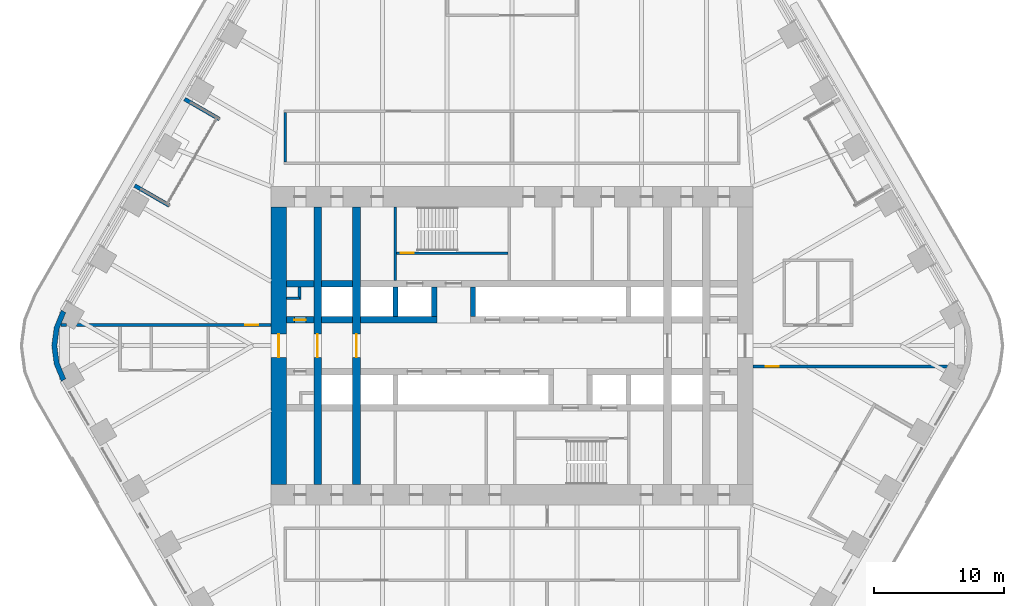
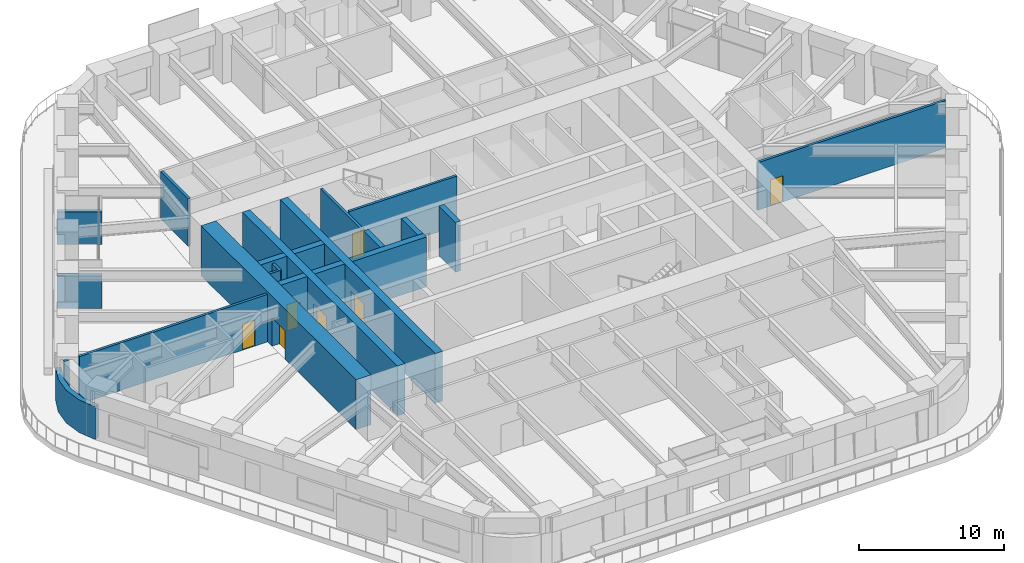
# One storey, part 19 of 24: 22 walls, 7 doors, 7 openings.
"""IFC4 building model written with IfcOpenShell, lengths in metres."""

from ifc_helpers import new_model, si_unit, direction, frame, frame_2d, origin, place, context, subcontext, project, spatial, polyline, rectangle, outline, extrude, material, layer, layer_set, type_object, element, fill, save


model = new_model("IFC4")

# Units and contexts
model_context = context("Model", 3, precision=1e-05, world=origin(), true_north=direction((0.0, 1.0)))
body_context = subcontext(model_context, "Body", "Model", "MODEL_VIEW")
ifc_project = project(units=[si_unit("LENGTHUNIT", "METRE"), si_unit("AREAUNIT", "SQUARE_METRE"), si_unit("VOLUMEUNIT", "CUBIC_METRE"), si_unit("PLANEANGLEUNIT", "RADIAN"), si_unit("MASSUNIT", "GRAM", prefix="KILO")], contexts=[model_context])

# Site, building, storey
site_placement = place(None, origin())
site = spatial("IfcSite", under=ifc_project, at=site_placement, CompositionType="ELEMENT")
building_placement = place(site_placement, origin())
building = spatial("IfcBuilding", under=site, at=building_placement, Name="Tarfa Lantern Tower", CompositionType="ELEMENT")
storey_placement = place(building_placement, frame((0.0, 0.0, 157.300048828125)))
storey = spatial("IfcBuildingStorey", under=building, at=storey_placement, Name="L35", CompositionType="ELEMENT", Elevation=157.300048828125)

# Walls
ifc_material_1 = material(Name="Limestone cladding on blockwork", Category="masonry")
ifc_layer_1 = layer(ifc_material_1, 0.300048828125)
ifc_layer_set_1 = layer_set([ifc_layer_1], Name="EW1 STONE-CLAD WALL 300")
wall_type_1 = type_object("IfcWallType", Name="EW1 STONE-CLAD WALL 300", PredefinedType="SOLIDWALL", material=ifc_layer_set_1)
wall_1_placement = place(storey_placement, frame((-25.266357421875, 19.037353515625, 0.0), z_axis=(0.0, 0.0, 1.0), x_axis=(0.86600983753, -0.500026960575, 0.0)))
element("IfcWall", 1, at=wall_1_placement, inside=storey, type_object=wall_type_1, Name="Loggia return NW 1", PredefinedType="SOLIDWALL", context=body_context, shape_type="SweptSolid", body=[
    extrude(rectangle(XDim=3.099853515625, YDim=0.300048828125, at=frame_2d((1.5498046875, 0.0))), origin(), (0.0, 0.0, 1.0), 2.75),
])
wall_2_placement = place(storey_placement, frame((-29.1201171875, 12.362548828125, 0.0), z_axis=(0.0, 0.0, 1.0), x_axis=(0.86602952684, -0.49999285859, 0.0)))
element("IfcWall", 2, at=wall_2_placement, inside=storey, type_object=wall_type_1, Name="Loggia return NW 2", PredefinedType="SOLIDWALL", context=body_context, shape_type="SweptSolid", body=[
    extrude(rectangle(XDim=3.10009765625, YDim=0.300048828125, at=frame_2d((1.550048828125, 0.0))), origin(), (0.0, 0.0, 1.0), 2.75),
])
ifc_layer_2 = layer(ifc_material_1, 0.39990234375)
ifc_layer_set_2 = layer_set([ifc_layer_2], Name="EW2 CURVED STONE CORNER 400")
wall_type_2 = type_object("IfcWallType", Name="EW2 CURVED STONE CORNER 400", PredefinedType="SOLIDWALL", material=ifc_layer_set_2)
wall_3_placement = place(storey_placement, origin())
element("IfcWall", 3, at=wall_3_placement, inside=storey, type_object=wall_type_2, Name="Stone corner NW-SW", PredefinedType="SOLIDWALL", context=body_context, shape_type="SweptSolid", body=[
    extrude(outline(polyline([(-34.785400390625, 2.75), (-35.334716796875, 1.423583984375), (-35.522216796875, 0.0), (-35.334716796875, -1.423583984375), (-34.785400390625, -2.75), (-34.43896484375, -2.550048828125), (-34.948486328125, -1.320068359375), (-35.122314453125, 0.0), (-34.948486328125, 1.320068359375), (-34.43896484375, 2.550048828125), (-34.785400390625, 2.75)])), origin(), (0.0, 0.0, 1.0), 2.75),
])
ifc_material_2 = material(Name="Concrete blockwork", Category="masonry")
ifc_layer_3 = layer(ifc_material_2, 0.199951171875)
ifc_layer_set_3 = layer_set([ifc_layer_3], Name="IW1 BLOCKWORK PARTITION 200 EI 120")
wall_type_3 = type_object("IfcWallType", Name="IW1 BLOCKWORK PARTITION 200 EI 120", PredefinedType="PARTITIONING", material=ifc_layer_set_3)
wall_4_placement = place(storey_placement, frame((-9.0, 5.050048828125, 0.0), z_axis=(0.0, 0.0, 1.0), x_axis=(0.0, 1.0, 0.0)))
element("IfcWall", 4, at=wall_4_placement, inside=storey, type_object=wall_type_3, Name="Core partition", PredefinedType="PARTITIONING", context=body_context, shape_type="SweptSolid", body=[
    extrude(rectangle(XDim=5.64990234375, YDim=0.199951171875, at=frame_2d((2.824951171875, 0.0))), origin(), (0.0, 0.0, 1.0), 4.0),
])
for number, where, z_axis, x_axis, name in (
    (5, (-17.39990234375, 3.64990234375, 0.0), (0.0, 0.0, 1.0), (1.0, 0.0, 0.0), "Core partition"),
    (6, (-16.39990234375, 3.550048828125, 0.0), (0.0, 0.0, 1.0), (0.0, 1.0, 0.0), "Core partition"),
):
    element("IfcWall", number, at=place(storey_placement, frame(where, z_axis=z_axis, x_axis=x_axis)), inside=storey, type_object=wall_type_3, Name=name, PredefinedType="PARTITIONING", context=body_context, shape_type="SweptSolid", body=[
        extrude(rectangle(XDim=1.0, YDim=0.199951171875, at=frame_2d((0.5, 0.0))), origin(), (0.0, 0.0, 1.0), 4.0),
    ])
ifc_material_3 = material(Name="Gypsum board on steel studs", Category="steel")
ifc_layer_4 = layer(ifc_material_3, 0.2099609375)
ifc_layer_set_4 = layer_set([ifc_layer_4], Name="IW2 ACOUSTIC PARTITION 200")
wall_type_4 = type_object("IfcWallType", Name="IW2 ACOUSTIC PARTITION 200", PredefinedType="PARTITIONING", material=ifc_layer_set_4)
wall_5_placement = place(storey_placement, frame((-17.5, 14.199951171875, 0.0), z_axis=(0.0, 0.0, 1.0), x_axis=(0.0, 1.0, 0.0)))
element("IfcWall", 7, at=wall_5_placement, inside=storey, type_object=wall_type_4, Name="Partition", PredefinedType="PARTITIONING", context=body_context, shape_type="SweptSolid", body=[
    extrude(rectangle(XDim=3.800048828125, YDim=0.199951171875, at=frame_2d((1.89990234375, 0.0))), origin(), (0.0, 0.0, 1.0), 4.0),
])

# Wall, opening, door
wall_6_placement = place(storey_placement, frame((18.60009765625, -1.60009765625, 0.0), z_axis=(0.0, 0.0, 1.0), x_axis=(1.0, 0.0, 0.0)))
wall_6 = element("IfcWall", 8, at=wall_6_placement, inside=storey, type_object=wall_type_4, Name="Partition", PredefinedType="PARTITIONING", context=body_context, shape_type="SweptSolid", body=[
    extrude(rectangle(XDim=15.001708984375, YDim=0.199951171875, at=frame_2d((7.5009765625, 0.0))), origin(), (0.0, 0.0, 1.0), 4.0),
])
opening_1_placement = place(wall_6_placement, frame((1.000244140625, 0.0, 0.0)))
opening_1 = element("IfcOpeningElement", 9, at=opening_1_placement, cuts=wall_6, Name="Opening D45", PredefinedType="OPENING", context=body_context, shape_type="SweptSolid", body=[
    extrude(rectangle(XDim=1.0, YDim=2.199951171875, at=frame_2d((0.5, 1.10009765625))), frame((0.0, 0.10986328125, 0.0), z_axis=(0.0, -1.0, 0.0), x_axis=(1.0, 0.0, 0.0)), (0.0, 0.0, 1.0), 0.219970703125),
])
ifc_material_4 = material(Name="Timber door", Category="wood")
door_type_1 = type_object("IfcDoorType", Name="DR1 ROOM DOOR 1000x2200", OperationType="SINGLE_SWING_LEFT", PredefinedType="DOOR", material=ifc_material_4)
door_1_placement = place(opening_1_placement, frame((1.0, 0.0, 0.0), z_axis=(0.0, 0.0, 1.0), x_axis=(-1.0, 0.0, 0.0)))
door_1 = element("IfcDoor", 10, at=door_1_placement, inside=storey, type_object=door_type_1, Name="Zone door", OperationType="SINGLE_SWING_LEFT", OverallHeight=2.199951171875, OverallWidth=1.0, PredefinedType="DOOR", context=body_context, shape_type="SweptSolid", body=[
    extrude(rectangle(XDim=1.0, YDim=2.199951171875, at=frame_2d((0.5, 1.10009765625))), frame((0.0, 0.02490234375, 0.0), z_axis=(0.0, -1.0, 0.0), x_axis=(1.0, 0.0, 0.0)), (0.0, 0.0, 1.0), 0.050048828125),
])
fill(opening_1, door_1)

wall_7_placement = place(storey_placement, frame((-18.60009765625, 1.60009765625, 0.0), z_axis=(0.0, 0.0, 1.0), x_axis=(-1.0, 0.0, 0.0)))
wall_7 = element("IfcWall", 11, at=wall_7_placement, inside=storey, type_object=wall_type_4, Name="Partition", PredefinedType="PARTITIONING", context=body_context, shape_type="SweptSolid", body=[
    extrude(rectangle(XDim=15.001708984375, YDim=0.199951171875, at=frame_2d((7.5009765625, 0.0))), origin(), (0.0, 0.0, 1.0), 4.0),
])
opening_2_placement = place(wall_7_placement, frame((1.000244140625, 0.0, 0.0)))
opening_2 = element("IfcOpeningElement", 12, at=opening_2_placement, cuts=wall_7, Name="Opening D47", PredefinedType="OPENING", context=body_context, shape_type="SweptSolid", body=[
    extrude(rectangle(XDim=1.0, YDim=2.199951171875, at=frame_2d((0.5, 1.10009765625))), frame((0.0, 0.10986328125, 0.0), z_axis=(0.0, -1.0, 0.0), x_axis=(1.0, 0.0, 0.0)), (0.0, 0.0, 1.0), 0.219970703125),
])
door_2_placement = place(opening_2_placement, origin())
door_2 = element("IfcDoor", 13, at=door_2_placement, inside=storey, type_object=door_type_1, Name="Zone door", OperationType="SINGLE_SWING_RIGHT", OverallHeight=2.199951171875, OverallWidth=1.0, PredefinedType="DOOR", context=body_context, shape_type="SweptSolid", body=[
    extrude(rectangle(XDim=1.0, YDim=2.199951171875, at=frame_2d((0.5, 1.10009765625))), frame((0.0, 0.02490234375, 0.0), z_axis=(0.0, -1.0, 0.0), x_axis=(1.0, 0.0, 0.0)), (0.0, 0.0, 1.0), 0.050048828125),
])
fill(opening_2, door_2)

# Wall
wall_8_placement = place(storey_placement, frame((-34.3935546875, 1.60009765625, 0.0), z_axis=(0.0, 0.0, 1.0), x_axis=(-1.0, 0.0, 0.0)))
element("IfcWall", 14, at=wall_8_placement, inside=storey, type_object=wall_type_4, Name="Partition", PredefinedType="PARTITIONING", context=body_context, shape_type="SweptSolid", body=[
    extrude(rectangle(XDim=0.397705078125, YDim=0.199951171875, at=frame_2d((0.19873046875, 0.0))), origin(), (0.0, 0.0, 1.0), 4.0),
])

# Wall, opening, door
ifc_material_5 = material(Name="Concrete C80/95", Category="concrete")
ifc_layer_5 = layer(ifc_material_5, 1.199951171875)
ifc_layer_set_5 = layer_set([ifc_layer_5], Name="SW1 CORE WALL 1200")
wall_type_5 = type_object("IfcWallType", Name="SW1 CORE WALL 1200", PredefinedType="SHEAR", material=ifc_layer_set_5)
wall_9_placement = place(storey_placement, frame((-18.0, 10.699951171875, 0.0), z_axis=(0.0, 0.0, 1.0), x_axis=(0.0, -1.0, 0.0)))
wall_9 = element("IfcWall", 15, at=wall_9_placement, inside=storey, type_object=wall_type_5, Name="Core wall W", PredefinedType="SHEAR", context=body_context, shape_type="SweptSolid", body=[
    extrude(rectangle(XDim=21.39990234375, YDim=1.199951171875, at=frame_2d((10.699951171875, 0.0))), origin(), (0.0, 0.0, 1.0), 4.199951171875),
])
opening_3_placement = place(wall_9_placement, frame((9.800048828125, 0.0, 0.0)))
opening_3 = element("IfcOpeningElement", 16, at=opening_3_placement, cuts=wall_9, Name="Opening D16", PredefinedType="OPENING", context=body_context, shape_type="SweptSolid", body=[
    extrude(rectangle(XDim=1.800048828125, YDim=2.39990234375, at=frame_2d((0.89990234375, 1.199951171875))), frame((0.0, 0.60986328125, 0.0), z_axis=(0.0, -1.0, 0.0), x_axis=(1.0, 0.0, 0.0)), (0.0, 0.0, 1.0), 1.219970703125),
])
ifc_material_6 = material(Name="Steel fire door", Category="steel")
door_type_2 = type_object("IfcDoorType", Name="DL1 LOBBY DOOR 1800x2400", OperationType="DOUBLE_DOOR_SINGLE_SWING", PredefinedType="DOOR", material=ifc_material_6)
door_3_placement = place(opening_3_placement, frame((1.800048828125, 0.0, 0.0), z_axis=(0.0, 0.0, 1.0), x_axis=(-1.0, 0.0, 0.0)))
door_3 = element("IfcDoor", 17, at=door_3_placement, inside=storey, type_object=door_type_2, Name="Lift lobby door", OperationType="DOUBLE_DOOR_SINGLE_SWING", OverallHeight=2.39990234375, OverallWidth=1.800048828125, PredefinedType="DOOR", context=body_context, shape_type="SweptSolid", body=[
    extrude(rectangle(XDim=1.800048828125, YDim=2.39990234375, at=frame_2d((0.89990234375, 1.199951171875))), frame((0.0, 0.02490234375, 0.0), z_axis=(0.0, -1.0, 0.0), x_axis=(1.0, 0.0, 0.0)), (0.0, 0.0, 1.0), 0.050048828125),
])
fill(opening_3, door_3)

ifc_layer_6 = layer(ifc_material_5, 0.199951171875)
ifc_layer_set_6 = layer_set([ifc_layer_6], Name="SW12 CORE WALL 200")
wall_type_6 = type_object("IfcWallType", Name="SW12 CORE WALL 200", PredefinedType="SHEAR", material=ifc_layer_set_6)
wall_10_placement = place(storey_placement, frame((-8.89990234375, 7.14990234375, 0.0), z_axis=(0.0, 0.0, 1.0), x_axis=(1.0, 0.0, 0.0)))
wall_10 = element("IfcWall", 18, at=wall_10_placement, inside=storey, type_object=wall_type_6, Name="Core wall stair partition N", PredefinedType="SHEAR", context=body_context, shape_type="SweptSolid", body=[
    extrude(rectangle(XDim=8.599853515625, YDim=0.199951171875, at=frame_2d((4.2998046875, 0.0))), origin(), (0.0, 0.0, 1.0), 4.199951171875),
])
opening_4_placement = place(wall_10_placement, frame((0.300048828125, 0.0, 0.0)))
opening_4 = element("IfcOpeningElement", 19, at=opening_4_placement, cuts=wall_10, Name="Opening D27", PredefinedType="OPENING", context=body_context, shape_type="SweptSolid", body=[
    extrude(rectangle(XDim=1.0, YDim=2.199951171875, at=frame_2d((0.5, 1.10009765625))), frame((0.0, 0.10986328125, 0.0), z_axis=(0.0, -1.0, 0.0), x_axis=(1.0, 0.0, 0.0)), (0.0, 0.0, 1.0), 0.219970703125),
])
door_type_3 = type_object("IfcDoorType", Name="DF2 STAIR DOOR 1000x2200", OperationType="SINGLE_SWING_LEFT", PredefinedType="DOOR", material=ifc_material_6)
door_4_placement = place(opening_4_placement, origin())
door_4 = element("IfcDoor", 20, at=door_4_placement, inside=storey, type_object=door_type_3, Name="Stair door", OperationType="SINGLE_SWING_RIGHT", OverallHeight=2.199951171875, OverallWidth=1.0, PredefinedType="DOOR", context=body_context, shape_type="SweptSolid", body=[
    extrude(rectangle(XDim=1.0, YDim=2.199951171875, at=frame_2d((0.5, 1.10009765625))), frame((0.0, 0.02490234375, 0.0), z_axis=(0.0, -1.0, 0.0), x_axis=(1.0, 0.0, 0.0)), (0.0, 0.0, 1.0), 0.050048828125),
])
fill(opening_4, door_4)

ifc_layer_7 = layer(ifc_material_5, 0.5)
ifc_layer_set_7 = layer_set([ifc_layer_7], Name="SW5 CORE WALL 500")
wall_type_7 = type_object("IfcWallType", Name="SW5 CORE WALL 500", PredefinedType="SHEAR", material=ifc_layer_set_7)
wall_11_placement = place(storey_placement, frame((-17.39990234375, 2.0, 0.0), z_axis=(0.0, 0.0, 1.0), x_axis=(1.0, 0.0, 0.0)))
wall_11 = element("IfcWall", 21, at=wall_11_placement, inside=storey, type_object=wall_type_7, Name="Core wall lobby west N", PredefinedType="SHEAR", context=body_context, shape_type="SweptSolid", body=[
    extrude(rectangle(XDim=2.099853515625, YDim=0.5, at=frame_2d((1.0498046875, 0.0))), origin(), (0.0, 0.0, 1.0), 4.199951171875),
])
opening_5_placement = place(wall_11_placement, frame((0.60009765625, 0.0, 0.0)))
opening_5 = element("IfcOpeningElement", 22, at=opening_5_placement, cuts=wall_11, Name="Opening D19", PredefinedType="OPENING", context=body_context, shape_type="SweptSolid", body=[
    extrude(rectangle(XDim=0.89990234375, YDim=2.199951171875, at=frame_2d((0.449951171875, 1.10009765625))), frame((0.0, 0.260009765625, 0.0), z_axis=(0.0, -1.0, 0.0), x_axis=(1.0, 0.0, 0.0)), (0.0, 0.0, 1.0), 0.52001953125),
])
door_type_4 = type_object("IfcDoorType", Name="DF6 SERVICE ROOM DOOR 900x2200", OperationType="SINGLE_SWING_LEFT", PredefinedType="DOOR", material=ifc_material_6)
door_5_placement = place(opening_5_placement, origin())
door_5 = element("IfcDoor", 23, at=door_5_placement, inside=storey, type_object=door_type_4, Name="Service room door", OperationType="SINGLE_SWING_LEFT", OverallHeight=2.199951171875, OverallWidth=0.89990234375, PredefinedType="DOOR", context=body_context, shape_type="SweptSolid", body=[
    extrude(rectangle(XDim=0.89990234375, YDim=2.199951171875, at=frame_2d((0.449951171875, 1.10009765625))), frame((0.0, 0.02490234375, 0.0), z_axis=(0.0, -1.0, 0.0), x_axis=(1.0, 0.0, 0.0)), (0.0, 0.0, 1.0), 0.050048828125),
])
fill(opening_5, door_5)

# Walls
wall_12_placement = place(storey_placement, frame((-14.699951171875, 2.0, 0.0), z_axis=(0.0, 0.0, 1.0), x_axis=(1.0, 0.0, 0.0)))
element("IfcWall", 24, at=wall_12_placement, inside=storey, type_object=wall_type_7, Name="Core wall lobby west N", PredefinedType="SHEAR", context=body_context, shape_type="SweptSolid", body=[
    extrude(rectangle(XDim=2.39990234375, YDim=0.5, at=frame_2d((1.199951171875, 0.0))), origin(), (0.0, 0.0, 1.0), 4.199951171875),
])
wall_13_placement = place(storey_placement, frame((-11.699951171875, 2.0, 0.0), z_axis=(0.0, 0.0, 1.0), x_axis=(1.0, 0.0, 0.0)))
element("IfcWall", 25, at=wall_13_placement, inside=storey, type_object=wall_type_7, Name="Core wall lobby west N", PredefinedType="SHEAR", context=body_context, shape_type="SweptSolid", body=[
    extrude(rectangle(XDim=5.89990234375, YDim=0.5, at=frame_2d((2.949951171875, 0.0))), origin(), (0.0, 0.0, 1.0), 4.199951171875),
])
wall_14_placement = place(storey_placement, frame((-17.39990234375, 4.800048828125, 0.0), z_axis=(0.0, 0.0, 1.0), x_axis=(1.0, 0.0, 0.0)))
element("IfcWall", 26, at=wall_14_placement, inside=storey, type_object=wall_type_7, Name="Core wall rear N", PredefinedType="SHEAR", context=body_context, shape_type="SweptSolid", body=[
    extrude(rectangle(XDim=2.099853515625, YDim=0.5, at=frame_2d((1.0498046875, 0.0))), origin(), (0.0, 0.0, 1.0), 4.199951171875),
])
wall_15_placement = place(storey_placement, frame((-14.699951171875, 4.800048828125, 0.0), z_axis=(0.0, 0.0, 1.0), x_axis=(1.0, 0.0, 0.0)))
element("IfcWall", 27, at=wall_15_placement, inside=storey, type_object=wall_type_7, Name="Core wall rear N", PredefinedType="SHEAR", context=body_context, shape_type="SweptSolid", body=[
    extrude(rectangle(XDim=2.39990234375, YDim=0.5, at=frame_2d((1.199951171875, 0.0))), origin(), (0.0, 0.0, 1.0), 4.199951171875),
])
ifc_layer_8 = layer(ifc_material_5, 0.39990234375)
ifc_layer_set_8 = layer_set([ifc_layer_8], Name="SW6 CORE WALL 400")
wall_type_8 = type_object("IfcWallType", Name="SW6 CORE WALL 400", PredefinedType="SHEAR", material=ifc_layer_set_8)
for number, where, z_axis, x_axis, name in (
    (28, (-9.0, 2.25, 0.0), (0.0, 0.0, 1.0), (0.0, 1.0, 0.0), "Core wall divider N"),
    (29, (-6.0, 2.25, 0.0), (0.0, 0.0, 1.0), (0.0, 1.0, 0.0), "Core wall divider N"),
    (30, (-3.0, 2.25, 0.0), (0.0, 0.0, 1.0), (0.0, 1.0, 0.0), "Core wall divider N"),
):
    element("IfcWall", number, at=place(storey_placement, frame(where, z_axis=z_axis, x_axis=x_axis)), inside=storey, type_object=wall_type_8, Name=name, PredefinedType="SHEAR", context=body_context, shape_type="SweptSolid", body=[
        extrude(rectangle(XDim=2.300048828125, YDim=0.39990234375, at=frame_2d((1.14990234375, 0.0))), origin(), (0.0, 0.0, 1.0), 4.199951171875),
    ])

# Wall, opening, door
ifc_layer_9 = layer(ifc_material_5, 0.60009765625)
ifc_layer_set_9 = layer_set([ifc_layer_9], Name="SW9 CORE WALL 600")
wall_type_9 = type_object("IfcWallType", Name="SW9 CORE WALL 600", PredefinedType="SHEAR", material=ifc_layer_set_9)
wall_16_placement = place(storey_placement, frame((-12.0, -10.699951171875, 0.0), z_axis=(0.0, 0.0, 1.0), x_axis=(0.0, 1.0, 0.0)))
wall_16 = element("IfcWall", 31, at=wall_16_placement, inside=storey, type_object=wall_type_9, Name="Core wall cross 12 m west", PredefinedType="SHEAR", context=body_context, shape_type="SweptSolid", body=[
    extrude(rectangle(XDim=21.39990234375, YDim=0.60009765625, at=frame_2d((10.699951171875, 0.0))), origin(), (0.0, 0.0, 1.0), 4.199951171875),
])
opening_6_placement = place(wall_16_placement, frame((9.800048828125, 0.0, 0.0)))
opening_6 = element("IfcOpeningElement", 32, at=opening_6_placement, cuts=wall_16, Name="Opening D31", PredefinedType="OPENING", context=body_context, shape_type="SweptSolid", body=[
    extrude(rectangle(XDim=1.800048828125, YDim=2.39990234375, at=frame_2d((0.89990234375, 1.199951171875))), frame((0.0, 0.31005859375, 0.0), z_axis=(0.0, -1.0, 0.0), x_axis=(1.0, 0.0, 0.0)), (0.0, 0.0, 1.0), 0.6201171875),
])
door_6_placement = place(opening_6_placement, origin())
door_6 = element("IfcDoor", 33, at=door_6_placement, inside=storey, type_object=door_type_2, Name="Lift lobby door", OperationType="DOUBLE_DOOR_SINGLE_SWING", OverallHeight=2.39990234375, OverallWidth=1.800048828125, PredefinedType="DOOR", context=body_context, shape_type="SweptSolid", body=[
    extrude(rectangle(XDim=1.800048828125, YDim=2.39990234375, at=frame_2d((0.89990234375, 1.199951171875))), frame((0.0, 0.02490234375, 0.0), z_axis=(0.0, -1.0, 0.0), x_axis=(1.0, 0.0, 0.0)), (0.0, 0.0, 1.0), 0.050048828125),
])
fill(opening_6, door_6)

wall_17_placement = place(storey_placement, frame((-15.0, -10.699951171875, 0.0), z_axis=(0.0, 0.0, 1.0), x_axis=(0.0, 1.0, 0.0)))
wall_17 = element("IfcWall", 34, at=wall_17_placement, inside=storey, type_object=wall_type_9, Name="Core wall cross 15 m west", PredefinedType="SHEAR", context=body_context, shape_type="SweptSolid", body=[
    extrude(rectangle(XDim=21.39990234375, YDim=0.60009765625, at=frame_2d((10.699951171875, 0.0))), origin(), (0.0, 0.0, 1.0), 4.199951171875),
])
opening_7_placement = place(wall_17_placement, frame((9.800048828125, 0.0, 0.0)))
opening_7 = element("IfcOpeningElement", 35, at=opening_7_placement, cuts=wall_17, Name="Opening D32", PredefinedType="OPENING", context=body_context, shape_type="SweptSolid", body=[
    extrude(rectangle(XDim=1.800048828125, YDim=2.39990234375, at=frame_2d((0.89990234375, 1.199951171875))), frame((0.0, 0.31005859375, 0.0), z_axis=(0.0, -1.0, 0.0), x_axis=(1.0, 0.0, 0.0)), (0.0, 0.0, 1.0), 0.6201171875),
])
door_7_placement = place(opening_7_placement, origin())
door_7 = element("IfcDoor", 36, at=door_7_placement, inside=storey, type_object=door_type_2, Name="Lift lobby door", OperationType="DOUBLE_DOOR_SINGLE_SWING", OverallHeight=2.39990234375, OverallWidth=1.800048828125, PredefinedType="DOOR", context=body_context, shape_type="SweptSolid", body=[
    extrude(rectangle(XDim=1.800048828125, YDim=2.39990234375, at=frame_2d((0.89990234375, 1.199951171875))), frame((0.0, 0.02490234375, 0.0), z_axis=(0.0, -1.0, 0.0), x_axis=(1.0, 0.0, 0.0)), (0.0, 0.0, 1.0), 0.050048828125),
])
fill(opening_7, door_7)

save(model, "model.ifc")
